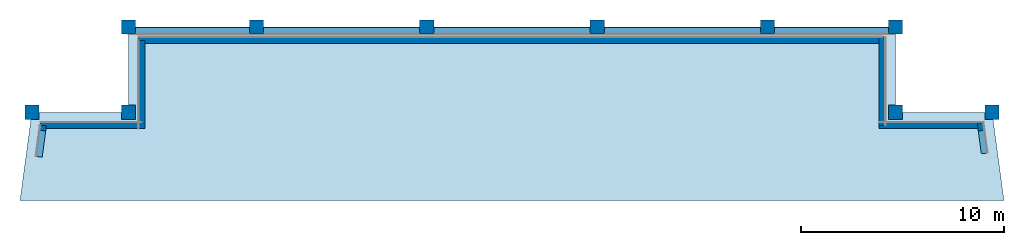
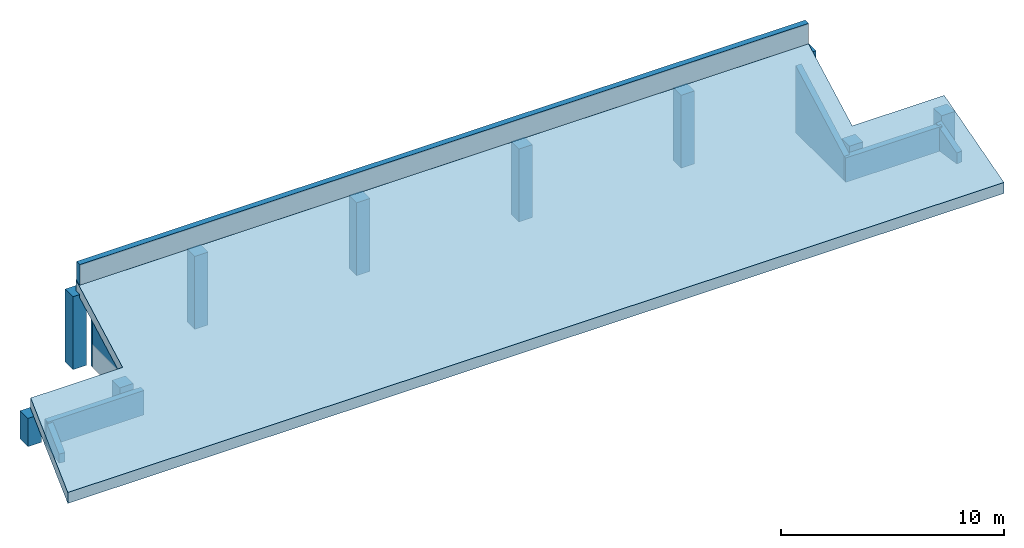
# One storey, part 1 of 2: 10 columns, 8 walls, 1 slab.
"""IFC4 building model written with IfcOpenShell, lengths in metres."""

from ifc_helpers import new_model, si_unit, direction, frame, frame_2d, origin, origin_2d, place, context, subcontext, project, spatial, polyline, rectangle, outline, extrude, material, layer, layer_set, material_profile, profile_set, type_object, element, save


model = new_model("IFC4")

# Units and contexts
model_context = context("Model", 3, precision=1e-05, world=origin(), true_north=direction((0.0, 1.0)))
body_context = subcontext(model_context, "Body", "Model", "MODEL_VIEW")
ifc_project = project(units=[si_unit("LENGTHUNIT", "METRE"), si_unit("AREAUNIT", "SQUARE_METRE"), si_unit("VOLUMEUNIT", "CUBIC_METRE"), si_unit("PLANEANGLEUNIT", "RADIAN"), si_unit("MASSUNIT", "GRAM", prefix="KILO")], contexts=[model_context])

# Site, building, storey
site_placement = place(None, origin())
site = spatial("IfcSite", under=ifc_project, at=site_placement, CompositionType="ELEMENT")
building_placement = place(site_placement, origin())
building = spatial("IfcBuilding", under=site, at=building_placement, Name="Candeia Pilgrim Tower and Theatre", CompositionType="ELEMENT")
storey_placement = place(building_placement, frame((0.0, 0.0, 332.39990234375)))
storey = spatial("IfcBuildingStorey", under=building, at=storey_placement, Name="L80", CompositionType="ELEMENT", Elevation=332.39990234375)

# Columns
ifc_material_1 = material(Name="Concrete C40/50", Category="concrete")
ifc_material_profile = material_profile(ifc_material_1, rectangle(XDim=0.699951171875, YDim=0.699951171875, at=origin_2d()))
ifc_profile_set = profile_set([ifc_material_profile], Name="Concrete C40/50")
column_type = type_object("IfcColumnType", Name="RC 700x700 C40/50", PredefinedType="COLUMN", material=ifc_profile_set)
for number, where, z_axis, x_axis, name in (
    (1, (94.5, 140.60009765625, 0.0), (0.0, 0.0, 1.0), (1.0, 0.0, 0.0), "Column NNW"),
    (2, (132.300048828125, 140.60009765625, 0.0), (0.0, 0.0, 1.0), (1.0, 0.0, 0.0), "Column NNE"),
    (3, (89.734619140625, 140.60009765625, 0.0), (0.0, 0.0, 1.0), (1.0, 0.0, 0.0), "Column LNW"),
    (4, (137.0654296875, 140.60009765625, 0.0), (0.0, 0.0, 1.0), (1.0, 0.0, 0.0), "Column LNE"),
):
    element("IfcColumn", number, at=place(storey_placement, frame(where, z_axis=z_axis, x_axis=x_axis)), inside=storey, type_object=column_type, Name=name, PredefinedType="COLUMN", context=body_context, shape_type="SweptSolid", body=[
        extrude(rectangle(XDim=0.699951171875, YDim=0.699951171875, at=origin_2d()), origin(), (0.0, 0.0, 1.0), 1.55126953125),
    ])
for number, where, z_axis, x_axis, name in (
    (5, (100.800048828125, 144.800048828125, 0.0), (0.0, 0.0, 1.0), (1.0, 0.0, 0.0), "Column F2"),
    (6, (109.199951171875, 144.800048828125, 0.0), (0.0, 0.0, 1.0), (1.0, 0.0, 0.0), "Column F3"),
    (7, (117.60009765625, 144.800048828125, 0.0), (0.0, 0.0, 1.0), (1.0, 0.0, 0.0), "Column F4"),
    (8, (126.0, 144.800048828125, 0.0), (0.0, 0.0, 1.0), (1.0, 0.0, 0.0), "Column F5"),
    (9, (94.5, 144.800048828125, 0.0), (0.0, 0.0, 1.0), (1.0, 0.0, 0.0), "Column FW"),
    (10, (132.300048828125, 144.800048828125, 0.0), (0.0, 0.0, 1.0), (1.0, 0.0, 0.0), "Column FE"),
):
    element("IfcColumn", number, at=place(storey_placement, frame(where, z_axis=z_axis, x_axis=x_axis)), inside=storey, type_object=column_type, Name=name, PredefinedType="COLUMN", context=body_context, shape_type="SweptSolid", body=[
        extrude(rectangle(XDim=0.699951171875, YDim=0.699951171875, at=origin_2d()), origin(), (0.0, 0.0, 1.0), 4.0),
    ])

# Slab
ifc_material_2 = material(Name="Glazed ceramic tile bottle green roof panel")
ifc_layer_1 = layer(ifc_material_2, 0.60009765625)
ifc_layer_set_1 = layer_set([ifc_layer_1], Name="RF1 crown roof plane 600")
slab_type = type_object("IfcSlabType", Name="RF1 crown roof plane 600", PredefinedType="ROOF", material=ifc_layer_set_1)
slab_placement = place(storey_placement, frame((94.5, 140.60009765625, 2.339599609375), z_axis=(0.0, -0.473923088491, 0.880566241799), x_axis=(-1.0, 0.0, 0.0)))
element("IfcSlab", 11, at=slab_placement, inside=storey, type_object=slab_type, Name="Crown roof plane L80", PredefinedType="ROOF", context=body_context, shape_type="SweptSolid", body=[
    extrude(outline(polyline([(0.0, 0.0), (4.765380859375, 0.0), (5.3505859375, 4.936759633416386), (-43.150634765625, 4.936759633416386), (-42.5654296875, 0.0), (-37.800048828125, 0.0), (-37.800048828125, -4.7696374350580895), (0.0, -4.7696374350580895), (0.0, 0.0)])), origin(), (0.0, 0.473923088491, -0.880566241799), 0.60009765625),
])

# Walls
ifc_material_3 = material(Name="Ceramic block masonry", Category="masonry")
ifc_layer_2 = layer(ifc_material_3, 0.300048828125)
ifc_layer_set_2 = layer_set([ifc_layer_2], Name="EW1 glazing-line wall 300")
wall_type_1 = type_object("IfcWallType", Name="EW1 glazing-line wall 300", PredefinedType="SOLIDWALL", material=ifc_layer_set_2)
wall_1_placement = place(storey_placement, frame((90.302978515625, 139.949951171875, 0.0), z_axis=(0.0, 0.0, 1.0), x_axis=(-0.133435677811, -0.991057475572, 0.0)))
element("IfcWall", 12, at=wall_1_placement, inside=storey, type_object=wall_type_1, Name="External wall L80-0.0", PredefinedType="SOLIDWALL", context=body_context, shape_type="SweptSolid", body=[
    extrude(outline(polyline([(0.0, 0.0), (1.558837890625, 0.0), (1.558837890625, 0.50830078125), (0.0, 1.33984375), (0.0, 0.0)])), frame((0.0, 0.14990234375, 0.0), z_axis=(0.0, -1.0, 0.0), x_axis=(1.0, 0.0, 0.0)), (0.0, 0.0, 1.0), 0.300048828125),
])
wall_2_placement = place(storey_placement, frame((136.68212890625, 138.5751953125, 0.0), z_axis=(0.0, 0.0, 1.0), x_axis=(-0.133448455027, 0.991055755168, 0.0)))
element("IfcWall", 13, at=wall_2_placement, inside=storey, type_object=wall_type_1, Name="External wall L80-2.0", PredefinedType="SOLIDWALL", context=body_context, shape_type="SweptSolid", body=[
    extrude(outline(polyline([(0.0, 0.0), (1.5185546875, 0.0), (1.518310546875, 1.409912109375), (0.0, 0.599853515625), (0.0, 0.0)])), frame((0.0, 0.14990234375, 0.0), z_axis=(0.0, -1.0, 0.0), x_axis=(1.0, 0.0, 0.0)), (0.0, 0.0, 1.0), 0.300048828125),
])
wall_3_placement = place(storey_placement, frame((136.4970703125, 139.949951171875, 0.0), z_axis=(0.0, 0.0, 1.0), x_axis=(-1.0, 0.0, 0.0)))
element("IfcWall", 14, at=wall_3_placement, inside=storey, type_object=wall_type_1, Name="External wall L80-3.0", PredefinedType="SOLIDWALL", context=body_context, shape_type="SweptSolid", body=[
    extrude(rectangle(XDim=4.9970703125, YDim=0.300048828125, at=frame_2d((2.49853515625, 0.0))), origin(), (0.0, 0.0, 1.0), 1.33984375),
])
wall_4_placement = place(storey_placement, frame((131.64990234375, 139.949951171875, 0.0), z_axis=(0.0, 0.0, 1.0), x_axis=(0.0, 1.0, 0.0)))
element("IfcWall", 15, at=wall_4_placement, inside=storey, type_object=wall_type_1, Name="External wall L80-4.0", PredefinedType="SOLIDWALL", context=body_context, shape_type="SweptSolid", body=[
    extrude(outline(polyline([(0.0, 0.0), (4.35009765625, 0.0), (4.35009765625, 3.680908203125), (0.0, 1.33984375), (0.0, 0.0)])), frame((0.0, 0.14990234375, 0.0), z_axis=(0.0, -1.0, 0.0), x_axis=(1.0, 0.0, 0.0)), (0.0, 0.0, 1.0), 0.300048828125),
])
wall_5_placement = place(storey_placement, frame((131.64990234375, 144.14990234375, 0.0), z_axis=(0.0, 0.0, 1.0), x_axis=(-1.0, 0.0, 0.0)))
element("IfcWall", 16, at=wall_5_placement, inside=storey, type_object=wall_type_1, Name="External wall L80-5.0", PredefinedType="SOLIDWALL", context=body_context, shape_type="SweptSolid", body=[
    extrude(rectangle(XDim=36.64990234375, YDim=0.300048828125, at=frame_2d((18.324951171875, 0.0))), origin(), (0.0, 0.0, 1.0), 3.600341796875),
])
wall_6_placement = place(storey_placement, frame((95.14990234375, 144.14990234375, 0.0), z_axis=(0.0, 0.0, 1.0), x_axis=(0.0, -1.0, 0.0)))
element("IfcWall", 17, at=wall_6_placement, inside=storey, type_object=wall_type_1, Name="External wall L80-6.0", PredefinedType="SOLIDWALL", context=body_context, shape_type="SweptSolid", body=[
    extrude(outline(polyline([(0.0, 0.0), (4.349853515625, 0.0), (4.35009765625, 1.259033203125), (0.0, 3.600341796875), (0.0, 0.0)])), frame((0.0, 0.14990234375, 0.0), z_axis=(0.0, -1.0, 0.0), x_axis=(1.0, 0.0, 0.0)), (0.0, 0.0, 1.0), 0.300048828125),
])
wall_7_placement = place(storey_placement, frame((95.14990234375, 139.949951171875, 0.0), z_axis=(0.0, 0.0, 1.0), x_axis=(-1.0, 0.0, 0.0)))
element("IfcWall", 18, at=wall_7_placement, inside=storey, type_object=wall_type_1, Name="External wall L80-7.0", PredefinedType="SOLIDWALL", context=body_context, shape_type="SweptSolid", body=[
    extrude(rectangle(XDim=4.97802734375, YDim=0.300048828125, at=frame_2d((2.489013671875, 0.0))), origin(), (0.0, 0.0, 1.0), 1.33984375),
])
ifc_layer_3 = layer(ifc_material_3, 0.300048828125)
ifc_layer_set_3 = layer_set([ifc_layer_3], Name="PW1 parapet wall 300")
wall_type_2 = type_object("IfcWallType", Name="PW1 parapet wall 300", PredefinedType="PARAPET", material=ifc_layer_set_3)
wall_8_placement = place(storey_placement, frame((94.52001953125, 144.6298828125, 4.488525390625), z_axis=(0.0, 0.0, 1.0), x_axis=(1.0, 0.0, 0.0)))
element("IfcWall", 19, at=wall_8_placement, inside=storey, type_object=wall_type_2, Name="Crown parapet", PredefinedType="PARAPET", context=body_context, shape_type="SweptSolid", body=[
    extrude(rectangle(XDim=37.760009765625, YDim=0.300048828125, at=frame_2d((18.8798828125, 0.0))), origin(), (0.0, 0.0, 1.0), 1.1201171875),
])

save(model, "model.ifc")
